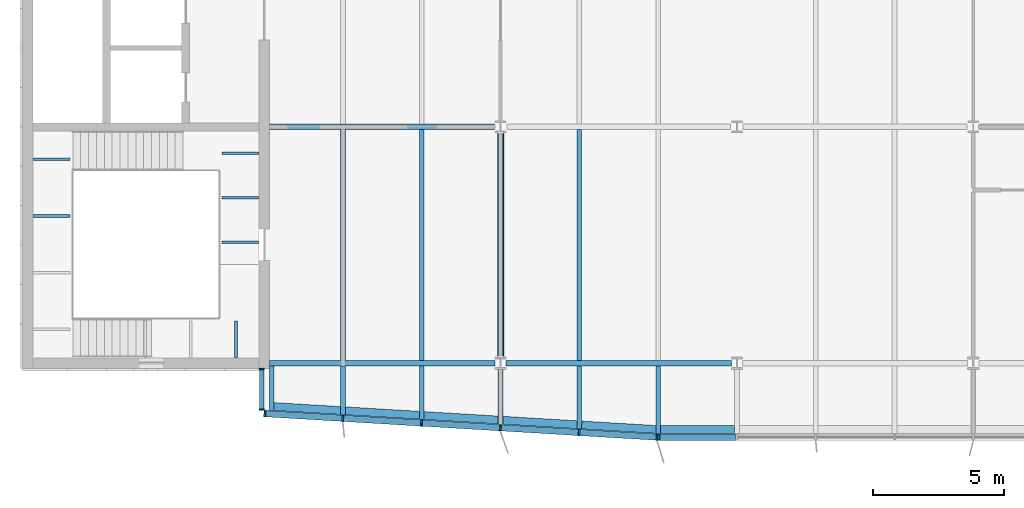
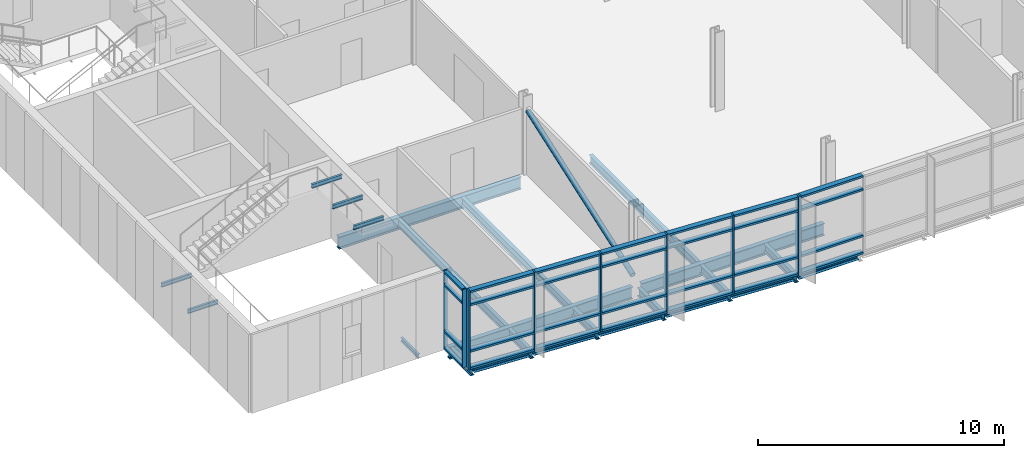
# One storey, part 2 of 21: 38 members, 24 beams, 3 elements without a shape of their own.
"""IFC4 building model written with IfcOpenShell, lengths in metres."""

from ifc_helpers import new_model, si_unit, direction, frame, origin, origin_2d, place, context, subcontext, project, spatial, rectangle, hollow_circle, i_section, extrude, material, material_profile, profile_set, type_object, element, aggregate, save


model = new_model("IFC4")

# Units and contexts
model_context = context("Model", 3, precision=1e-05, world=origin(), true_north=direction((0.0, 1.0)))
body_context = subcontext(model_context, "Body", "Model", "MODEL_VIEW")
ifc_project = project(units=[si_unit("LENGTHUNIT", "METRE"), si_unit("AREAUNIT", "SQUARE_METRE"), si_unit("VOLUMEUNIT", "CUBIC_METRE"), si_unit("PLANEANGLEUNIT", "RADIAN"), si_unit("MASSUNIT", "GRAM", prefix="KILO")], contexts=[model_context])

# Site, building, storey
site_placement = place(None, origin())
site = spatial("IfcSite", under=ifc_project, at=site_placement, CompositionType="ELEMENT")
building_placement = place(site_placement, origin())
building = spatial("IfcBuilding", under=site, at=building_placement, Name="Azimuth Sports and Learning Centre", CompositionType="ELEMENT")
storey_placement = place(building_placement, frame((0.0, 0.0, 32.39990234375)))
storey = spatial("IfcBuildingStorey", under=building, at=storey_placement, Name="L06", CompositionType="ELEMENT", Elevation=32.39990234375)

# Beams
ifc_material_1 = material(Name="Steel S355", Category="steel")
ifc_material_profile_1 = material_profile(ifc_material_1, i_section(OverallWidth=0.10009765625, OverallDepth=0.199951171875, WebThickness=0.005615234375, FlangeThickness=0.008544921875, FilletRadius=0.011962890625, at=origin_2d()), Name="IPE 200")
ifc_profile_set_1 = profile_set([ifc_material_profile_1], Name="Steel S355")
beam_type_1 = type_object("IfcBeamType", Name="Beam IPE 200", PredefinedType="BEAM", material=ifc_profile_set_1)
for number, where, z_axis, x_axis, name in (
    (1, (61.9267578125, 90.199951171875, -0.2998046875), (0.0, 1.0, 0.0), (-1.0, 0.0, 0.0), "Landing bracket W1 L06 61"),
    (2, (54.199951171875, 95.603759765625, 1.35009765625), (1.0, 0.0, 0.0), (0.0, 1.0, 0.0), "Landing bracket W1 L06 64"),
    (3, (54.199951171875, 97.76123046875, 1.35009765625), (1.0, 0.0, 0.0), (0.0, 1.0, 0.0), "Landing bracket W1 L06 65"),
    (4, (62.800048828125, 94.598388671875, 3.60009765625), (-1.0, 0.0, 0.0), (0.0, -1.0, 0.0), "Landing bracket W1 L06 66"),
    (5, (62.800048828125, 96.294921875, 3.60009765625), (-1.0, 0.0, 0.0), (0.0, -1.0, 0.0), "Landing bracket W1 L06 67"),
    (6, (62.800048828125, 97.99169921875, 3.60009765625), (-1.0, 0.0, 0.0), (0.0, -1.0, 0.0), "Landing bracket W1 L06 68"),
):
    element("IfcBeam", number, at=place(storey_placement, frame(where, z_axis=z_axis, x_axis=x_axis)), inside=storey, type_object=beam_type_1, Name=name, PredefinedType="BEAM", context=body_context, shape_type="SweptSolid", body=[
        extrude(i_section(OverallWidth=0.10009765625, OverallDepth=0.199951171875, WebThickness=0.005615234375, FlangeThickness=0.008544921875, FilletRadius=0.011962890625, at=origin_2d()), origin(), (0.0, 0.0, 1.0), 1.41015625),
    ])
ifc_material_2 = material(Name="Steel S355", Category="steel")
ifc_material_profile_2 = material_profile(ifc_material_2, i_section(OverallWidth=0.219970703125, OverallDepth=0.60009765625, WebThickness=0.011962890625, FlangeThickness=0.01904296875, FilletRadius=0.02392578125, at=origin_2d()), Name="IPE 600")
ifc_profile_set_2 = profile_set([ifc_material_profile_2], Name="Steel S355")
beam_type_2 = type_object("IfcBeamType", Name="Beam IPE 600", PredefinedType="BEAM", material=ifc_profile_set_2)
beam_1_placement = place(storey_placement, frame((63.199951171875, 90.0, -0.429931640625), z_axis=(1.0, 0.0, 0.0), x_axis=(0.0, 1.0, 0.0)))
element("IfcBeam", 7, at=beam_1_placement, inside=storey, type_object=beam_type_2, Name="Tower girder L06", PredefinedType="BEAM", context=body_context, shape_type="SweptSolid", body=[
    extrude(i_section(OverallWidth=0.219970703125, OverallDepth=0.60009765625, WebThickness=0.011962890625, FlangeThickness=0.01904296875, FilletRadius=0.02392578125, at=origin_2d()), origin(), (0.0, 0.0, 1.0), 8.588134765625),
])
beam_2_placement = place(storey_placement, frame((72.2119140625, 90.0, -0.429931640625), z_axis=(1.0, 0.0, 0.0), x_axis=(0.0, 1.0, 0.0)))
element("IfcBeam", 8, at=beam_2_placement, inside=storey, type_object=beam_type_2, Name="Tower girder L06", PredefinedType="BEAM", context=body_context, shape_type="SweptSolid", body=[
    extrude(i_section(OverallWidth=0.219970703125, OverallDepth=0.60009765625, WebThickness=0.011962890625, FlangeThickness=0.01904296875, FilletRadius=0.02392578125, at=origin_2d()), origin(), (0.0, 0.0, 1.0), 8.576171875),
])
beam_3_placement = place(storey_placement, frame((63.199951171875, 99.0, -0.429931640625), z_axis=(1.0, 0.0, 0.0), x_axis=(0.0, 1.0, 0.0)))
element("IfcBeam", 9, at=beam_3_placement, inside=storey, type_object=beam_type_2, Name="Tower girder L06", PredefinedType="BEAM", context=body_context, shape_type="SweptSolid", body=[
    extrude(i_section(OverallWidth=0.219970703125, OverallDepth=0.60009765625, WebThickness=0.011962890625, FlangeThickness=0.01904296875, FilletRadius=0.02392578125, at=origin_2d()), origin(), (0.0, 0.0, 1.0), 8.56201171875),
])

# Member
ifc_material_3 = material(Name="Steel S355", Category="steel")
ifc_material_profile_3 = material_profile(ifc_material_3, hollow_circle(Radius=0.122314453125, WallThickness=0.012451171875, at=origin_2d()), Name="CHS 244.5x12.5")
ifc_profile_set_3 = profile_set([ifc_material_profile_3], Name="Steel S355")
member_type_1 = type_object("IfcMemberType", Name="Brace CHS 244.5x12.5", PredefinedType="BRACE", material=ifc_profile_set_3)
member_1_placement = place(storey_placement, frame((72.0, 90.25732421875, 0.16943359375), z_axis=(0.0, 0.943699867633, 0.330802901785), x_axis=(-1.0, 0.0, 0.0)))
element("IfcMember", 10, at=member_1_placement, inside=storey, type_object=member_type_1, Name="Tower brace 9 L06", PredefinedType="BRACE", context=body_context, shape_type="SweptSolid", body=[
    extrude(hollow_circle(Radius=0.122314453125, WallThickness=0.012451171875, at=origin_2d()), origin(), (0.0, 0.0, 1.0), 9.011962890625),
])

# Beams
ifc_material_4 = material(Name="Steel S355", Category="steel")
ifc_material_profile_4 = material_profile(ifc_material_4, i_section(OverallWidth=0.179931640625, OverallDepth=0.39990234375, WebThickness=0.008544921875, FlangeThickness=0.013427734375, FilletRadius=0.02099609375, at=origin_2d()), Name="IPE 400")
ifc_profile_set_4 = profile_set([ifc_material_profile_4], Name="Steel S355")
beam_type_3 = type_object("IfcBeamType", Name="Cantilever stub IPE 400", PredefinedType="JOIST", material=ifc_profile_set_4)
beam_4_placement = place(storey_placement, frame((63.2900390625, 89.889892578125, -0.329833984375), z_axis=(0.0, -1.0, 0.0), x_axis=(1.0, 0.0, 0.0)))
element("IfcBeam", 11, at=beam_4_placement, inside=storey, type_object=beam_type_3, Name="Tower cantilever stub", PredefinedType="JOIST", context=body_context, shape_type="SweptSolid", body=[
    extrude(i_section(OverallWidth=0.179931640625, OverallDepth=0.39990234375, WebThickness=0.008544921875, FlangeThickness=0.013427734375, FilletRadius=0.02099609375, at=origin_2d()), origin(), (0.0, 0.0, 1.0), 1.687255859375),
])
beam_5_placement = place(storey_placement, frame((66.0, 89.889892578125, -0.329833984375), z_axis=(0.0, -1.0, 0.0), x_axis=(1.0, 0.0, 0.0)))
element("IfcBeam", 12, at=beam_5_placement, inside=storey, type_object=beam_type_3, Name="Tower cantilever stub", PredefinedType="JOIST", context=body_context, shape_type="SweptSolid", body=[
    extrude(i_section(OverallWidth=0.179931640625, OverallDepth=0.39990234375, WebThickness=0.008544921875, FlangeThickness=0.013427734375, FilletRadius=0.02099609375, at=origin_2d()), origin(), (0.0, 0.0, 1.0), 1.849853515625),
])
beam_6_placement = place(storey_placement, frame((69.0, 89.889892578125, -0.329833984375), z_axis=(0.0, -1.0, 0.0), x_axis=(1.0, 0.0, 0.0)))
element("IfcBeam", 13, at=beam_6_placement, inside=storey, type_object=beam_type_3, Name="Tower cantilever stub", PredefinedType="JOIST", context=body_context, shape_type="SweptSolid", body=[
    extrude(i_section(OverallWidth=0.179931640625, OverallDepth=0.39990234375, WebThickness=0.008544921875, FlangeThickness=0.013427734375, FilletRadius=0.02099609375, at=origin_2d()), origin(), (0.0, 0.0, 1.0), 2.02978515625),
])
beam_7_placement = place(storey_placement, frame((72.0, 89.762939453125, -0.329833984375), z_axis=(0.0, -1.0, 0.0), x_axis=(1.0, 0.0, 0.0)))
element("IfcBeam", 14, at=beam_7_placement, inside=storey, type_object=beam_type_3, Name="Tower cantilever stub", PredefinedType="JOIST", context=body_context, shape_type="SweptSolid", body=[
    extrude(i_section(OverallWidth=0.179931640625, OverallDepth=0.39990234375, WebThickness=0.008544921875, FlangeThickness=0.013427734375, FilletRadius=0.02099609375, at=origin_2d()), origin(), (0.0, 0.0, 1.0), 2.0830078125),
])
beam_8_placement = place(storey_placement, frame((75.0, 89.889892578125, -0.329833984375), z_axis=(0.0, -1.0, 0.0), x_axis=(1.0, 0.0, 0.0)))
element("IfcBeam", 15, at=beam_8_placement, inside=storey, type_object=beam_type_3, Name="Tower cantilever stub", PredefinedType="JOIST", context=body_context, shape_type="SweptSolid", body=[
    extrude(i_section(OverallWidth=0.179931640625, OverallDepth=0.39990234375, WebThickness=0.008544921875, FlangeThickness=0.013427734375, FilletRadius=0.02099609375, at=origin_2d()), origin(), (0.0, 0.0, 1.0), 2.389892578125),
])
beam_9_placement = place(storey_placement, frame((78.0, 89.889892578125, -0.329833984375), z_axis=(0.0, -1.0, 0.0), x_axis=(1.0, 0.0, 0.0)))
element("IfcBeam", 16, at=beam_9_placement, inside=storey, type_object=beam_type_3, Name="Tower cantilever stub", PredefinedType="JOIST", context=body_context, shape_type="SweptSolid", body=[
    extrude(i_section(OverallWidth=0.179931640625, OverallDepth=0.39990234375, WebThickness=0.008544921875, FlangeThickness=0.013427734375, FilletRadius=0.02099609375, at=origin_2d()), origin(), (0.0, 0.0, 1.0), 2.56982421875),
])
ifc_material_5 = material(Name="Steel S355", Category="steel")
ifc_material_profile_5 = material_profile(ifc_material_5, i_section(OverallWidth=0.300048828125, OverallDepth=0.2900390625, WebThickness=0.008544921875, FlangeThickness=0.013916015625, FilletRadius=0.027099609375, at=origin_2d()), Name="HEA 300")
ifc_profile_set_5 = profile_set([ifc_material_profile_5], Name="Steel S355")
beam_type_4 = type_object("IfcBeamType", Name="Edge beam HEA 300", PredefinedType="SPANDREL", material=ifc_profile_set_5)
beam_10_placement = place(storey_placement, frame((63.3798828125, 88.34716796875, -0.27490234375), z_axis=(0.998203578329, -0.059913405937, 0.0), x_axis=(0.059913405937, 0.998203578329, 0.0)))
element("IfcBeam", 17, at=beam_10_placement, inside=storey, type_object=beam_type_4, Name="Tower edge beam", PredefinedType="SPANDREL", context=body_context, shape_type="SweptSolid", body=[
    extrude(i_section(OverallWidth=0.300048828125, OverallDepth=0.2900390625, WebThickness=0.008544921875, FlangeThickness=0.013916015625, FilletRadius=0.027099609375, at=origin_2d()), origin(), (0.0, 0.0, 1.0), 2.53466796875),
])
for number, where, z_axis, x_axis, name in (
    (18, (66.090087890625, 88.1845703125, -0.27490234375), (0.998204845466, -0.059892290728, 0.0), (0.059892290728, 0.998204845466, 0.0), "Tower edge beam"),
    (19, (69.090087890625, 88.004638671875, -0.27490234375), (0.998204845466, -0.059892290728, 0.0), (0.059892290728, 0.998204845466, 0.0), "Tower edge beam"),
    (20, (72.090087890625, 87.82470703125, -0.27490234375), (0.998204845466, -0.059892290728, 0.0), (0.059892290728, 0.998204845466, 0.0), "Tower edge beam"),
    (21, (75.090087890625, 87.64453125, -0.27490234375), (0.998204845466, -0.059892290728, 0.0), (0.059892290728, 0.998204845466, 0.0), "Tower edge beam"),
):
    element("IfcBeam", number, at=place(storey_placement, frame(where, z_axis=z_axis, x_axis=x_axis)), inside=storey, type_object=beam_type_4, Name=name, PredefinedType="SPANDREL", context=body_context, shape_type="SweptSolid", body=[
        extrude(i_section(OverallWidth=0.300048828125, OverallDepth=0.2900390625, WebThickness=0.008544921875, FlangeThickness=0.013916015625, FilletRadius=0.027099609375, at=origin_2d()), origin(), (0.0, 0.0, 1.0), 2.824951171875),
    ])
beam_11_placement = place(storey_placement, frame((78.090087890625, 87.469970703125, -0.27490234375), z_axis=(1.0, 0.0, 0.0), x_axis=(0.0, 1.0, 0.0)))
element("IfcBeam", 22, at=beam_11_placement, inside=storey, type_object=beam_type_4, Name="Tower edge beam", PredefinedType="SPANDREL", context=body_context, shape_type="SweptSolid", body=[
    extrude(i_section(OverallWidth=0.300048828125, OverallDepth=0.2900390625, WebThickness=0.008544921875, FlangeThickness=0.013916015625, FilletRadius=0.027099609375, at=origin_2d()), origin(), (0.0, 0.0, 1.0), 2.81982421875),
])
ifc_material_6 = material(Name="Steel S355", Category="steel")
ifc_material_profile_6 = material_profile(ifc_material_6, i_section(OverallWidth=0.179931640625, OverallDepth=0.39990234375, WebThickness=0.008544921875, FlangeThickness=0.013427734375, FilletRadius=0.02099609375, at=origin_2d()), Name="IPE 400")
ifc_profile_set_6 = profile_set([ifc_material_profile_6], Name="Steel S355")
beam_type_5 = type_object("IfcBeamType", Name="Joist IPE 400", PredefinedType="JOIST", material=ifc_profile_set_6)
for number, where, z_axis, x_axis, name in (
    (23, (66.0, 90.110107421875, -0.329833984375), (0.0, 1.0, 0.0), (-1.0, 0.0, 0.0), "Tower joist"),
    (24, (69.0, 90.110107421875, -0.329833984375), (0.0, 1.0, 0.0), (-1.0, 0.0, 0.0), "Tower joist"),
    (25, (75.0, 90.110107421875, -0.329833984375), (0.0, 1.0, 0.0), (-1.0, 0.0, 0.0), "Tower joist"),
):
    element("IfcBeam", number, at=place(storey_placement, frame(where, z_axis=z_axis, x_axis=x_axis)), inside=storey, type_object=beam_type_5, Name=name, PredefinedType="JOIST", context=body_context, shape_type="SweptSolid", body=[
        extrude(i_section(OverallWidth=0.179931640625, OverallDepth=0.39990234375, WebThickness=0.008544921875, FlangeThickness=0.013427734375, FilletRadius=0.02099609375, at=origin_2d()), origin(), (0.0, 0.0, 1.0), 8.77978515625),
    ])

# Curtain wall, members
ifc_material_7 = material(Name="Aluminium and glass", Category="aluminium")
curtain_wall_type_1 = type_object("IfcCurtainWallType", Name="Curtain wall tower return 180", PredefinedType="NOTDEFINED", material=ifc_material_7)
curtain_wall_1_placement = place(storey_placement, origin())
curtain_wall_1 = element("IfcCurtainWall", 26, at=curtain_wall_1_placement, inside=storey, type_object=curtain_wall_type_1, Name="Curtain wall CW06-001", PredefinedType="NOTDEFINED")
ifc_material_8 = material(Name="Aluminium", Category="aluminium")
ifc_material_profile_7 = material_profile(ifc_material_8, rectangle(XDim=0.179931640625, YDim=0.06005859375, at=origin_2d()), Name="Mullion 60x180")
ifc_profile_set_7 = profile_set([ifc_material_profile_7], Name="Aluminium")
member_type_2 = type_object("IfcMemberType", Name="Mullion 60x180", PredefinedType="MULLION", material=ifc_profile_set_7)
member_2_placement = place(storey_placement, frame((62.909912109375, 89.77001953125, 0.0), z_axis=(0.0, 0.0, 1.0), x_axis=(1.0, 0.0, 0.0)))
member_2 = element("IfcMember", 27, at=member_2_placement, type_object=member_type_2, Name="CW06-001 mullion 1", PredefinedType="MULLION", context=body_context, shape_type="SweptSolid", body=[
    extrude(rectangle(XDim=0.179931640625, YDim=0.06005859375, at=origin_2d()), origin(), (0.0, 0.0, 1.0), 3.900146484375),
])
member_3_placement = place(storey_placement, frame((62.909912109375, 88.22998046875, 0.0), z_axis=(0.0, 0.0, 1.0), x_axis=(1.0, 0.0, 0.0)))
member_3 = element("IfcMember", 28, at=member_3_placement, type_object=member_type_2, Name="CW06-001 mullion 2", PredefinedType="MULLION", context=body_context, shape_type="SweptSolid", body=[
    extrude(rectangle(XDim=0.179931640625, YDim=0.06005859375, at=origin_2d()), origin(), (0.0, 0.0, 1.0), 3.900146484375),
])

ifc_material_9 = material(Name="Aluminium and glass", Category="aluminium")
curtain_wall_type_2 = type_object("IfcCurtainWallType", Name="Curtain wall tower south 240", PredefinedType="NOTDEFINED", material=ifc_material_9)
curtain_wall_2_placement = place(storey_placement, origin())
curtain_wall_2 = element("IfcCurtainWall", 29, at=curtain_wall_2_placement, inside=storey, type_object=curtain_wall_type_2, Name="Curtain wall CW06-002", PredefinedType="NOTDEFINED")
ifc_material_10 = material(Name="Aluminium", Category="aluminium")
ifc_material_profile_8 = material_profile(ifc_material_10, rectangle(XDim=0.239990234375, YDim=0.070068359375, at=origin_2d()), Name="Mullion 70x240")
ifc_profile_set_8 = profile_set([ifc_material_profile_8], Name="Aluminium")
member_type_3 = type_object("IfcMemberType", Name="Mullion 70x240", PredefinedType="MULLION", material=ifc_profile_set_8)
member_4_placement = place(storey_placement, frame((63.02783203125, 88.078125, 0.0), z_axis=(0.0, 0.0, 1.0), x_axis=(0.059891991812, 0.998204863401, 0.0)))
member_4 = element("IfcMember", 30, at=member_4_placement, type_object=member_type_3, Name="CW06-002 mullion 1", PredefinedType="MULLION", context=body_context, shape_type="SweptSolid", body=[
    extrude(rectangle(XDim=0.239990234375, YDim=0.070068359375, at=origin_2d()), origin(), (0.0, 0.0, 1.0), 3.900146484375),
])
member_5_placement = place(storey_placement, frame((65.992919921875, 87.900146484375, 0.0), z_axis=(0.0, 0.0, 1.0), x_axis=(0.059891991812, 0.998204863401, 0.0)))
member_5 = element("IfcMember", 31, at=member_5_placement, type_object=member_type_3, Name="CW06-002 mullion 2", PredefinedType="MULLION", context=body_context, shape_type="SweptSolid", body=[
    extrude(rectangle(XDim=0.239990234375, YDim=0.070068359375, at=origin_2d()), origin(), (0.0, 0.0, 1.0), 3.900146484375),
])
member_6_placement = place(storey_placement, frame((68.992919921875, 87.72021484375, 0.0), z_axis=(0.0, 0.0, 1.0), x_axis=(0.059891991812, 0.998204863401, 0.0)))
member_6 = element("IfcMember", 32, at=member_6_placement, type_object=member_type_3, Name="CW06-002 mullion 3", PredefinedType="MULLION", context=body_context, shape_type="SweptSolid", body=[
    extrude(rectangle(XDim=0.239990234375, YDim=0.070068359375, at=origin_2d()), origin(), (0.0, 0.0, 1.0), 3.900146484375),
])
member_7_placement = place(storey_placement, frame((71.992919921875, 87.540283203125, 0.0), z_axis=(0.0, 0.0, 1.0), x_axis=(0.059891991812, 0.998204863401, 0.0)))
member_7 = element("IfcMember", 33, at=member_7_placement, type_object=member_type_3, Name="CW06-002 mullion 4", PredefinedType="MULLION", context=body_context, shape_type="SweptSolid", body=[
    extrude(rectangle(XDim=0.239990234375, YDim=0.070068359375, at=origin_2d()), origin(), (0.0, 0.0, 1.0), 3.900146484375),
])
member_8_placement = place(storey_placement, frame((74.992919921875, 87.360107421875, 0.0), z_axis=(0.0, 0.0, 1.0), x_axis=(0.059891991812, 0.998204863401, 0.0)))
member_8 = element("IfcMember", 34, at=member_8_placement, type_object=member_type_3, Name="CW06-002 mullion 5", PredefinedType="MULLION", context=body_context, shape_type="SweptSolid", body=[
    extrude(rectangle(XDim=0.239990234375, YDim=0.070068359375, at=origin_2d()), origin(), (0.0, 0.0, 1.0), 3.900146484375),
])
member_9_placement = place(storey_placement, frame((77.957763671875, 87.182373046875, 0.0), z_axis=(0.0, 0.0, 1.0), x_axis=(0.059891991812, 0.998204863401, 0.0)))
member_9 = element("IfcMember", 35, at=member_9_placement, type_object=member_type_3, Name="CW06-002 mullion 6", PredefinedType="MULLION", context=body_context, shape_type="SweptSolid", body=[
    extrude(rectangle(XDim=0.239990234375, YDim=0.070068359375, at=origin_2d()), origin(), (0.0, 0.0, 1.0), 3.900146484375),
])

# Curtain wall, member
curtain_wall_3_placement = place(storey_placement, origin())
curtain_wall_3 = element("IfcCurtainWall", 36, at=curtain_wall_3_placement, inside=storey, type_object=curtain_wall_type_2, Name="Curtain wall CW06-003", PredefinedType="NOTDEFINED")
member_10_placement = place(storey_placement, frame((78.02783203125, 87.179931640625, 0.0), z_axis=(0.0, 0.0, 1.0), x_axis=(0.0, 1.0, 0.0)))
member_10 = element("IfcMember", 37, at=member_10_placement, type_object=member_type_3, Name="CW06-003 mullion 1", PredefinedType="MULLION", context=body_context, shape_type="SweptSolid", body=[
    extrude(rectangle(XDim=0.239990234375, YDim=0.070068359375, at=origin_2d()), origin(), (0.0, 0.0, 1.0), 3.900146484375),
])

# Member
ifc_material_11 = material(Name="Aluminium", Category="aluminium")
ifc_material_profile_9 = material_profile(ifc_material_11, rectangle(XDim=0.179931640625, YDim=0.10009765625, at=origin_2d()), Name="Transom 100x180")
ifc_profile_set_9 = profile_set([ifc_material_profile_9], Name="Aluminium")
member_type_4 = type_object("IfcMemberType", Name="Transom 100x180", PredefinedType="USERDEFINED", material=ifc_profile_set_9)
member_11_placement = place(storey_placement, frame((62.909912109375, 89.739990234375, 0.050048828125), z_axis=(0.0, -1.0, 0.0), x_axis=(1.0, 0.0, 0.0)))
member_11 = element("IfcMember", 38, at=member_11_placement, type_object=member_type_4, Name="CW06-001 transom 1.1", ObjectType="TRANSOM", PredefinedType="USERDEFINED", context=body_context, shape_type="SweptSolid", body=[
    extrude(rectangle(XDim=0.179931640625, YDim=0.10009765625, at=origin_2d()), origin(), (0.0, 0.0, 1.0), 1.47998046875),
])

member_12_placement = place(storey_placement, frame((62.909912109375, 89.739990234375, 0.900146484375), z_axis=(0.0, -1.0, 0.0), x_axis=(1.0, 0.0, 0.0)))
member_12 = element("IfcMember", 39, at=member_12_placement, type_object=member_type_4, Name="CW06-001 transom 1.2", ObjectType="TRANSOM", PredefinedType="USERDEFINED", context=body_context, shape_type="SweptSolid", body=[
    extrude(rectangle(XDim=0.179931640625, YDim=0.10009765625, at=origin_2d()), origin(), (0.0, 0.0, 1.0), 1.47998046875),
])

member_13_placement = place(storey_placement, frame((62.909912109375, 89.739990234375, 3.2001953125), z_axis=(0.0, -1.0, 0.0), x_axis=(1.0, 0.0, 0.0)))
member_13 = element("IfcMember", 40, at=member_13_placement, type_object=member_type_4, Name="CW06-001 transom 1.3", ObjectType="TRANSOM", PredefinedType="USERDEFINED", context=body_context, shape_type="SweptSolid", body=[
    extrude(rectangle(XDim=0.179931640625, YDim=0.10009765625, at=origin_2d()), origin(), (0.0, 0.0, 1.0), 1.47998046875),
])

member_14_placement = place(storey_placement, frame((62.909912109375, 89.739990234375, 3.85009765625), z_axis=(0.0, -1.0, 0.0), x_axis=(1.0, 0.0, 0.0)))
member_14 = element("IfcMember", 41, at=member_14_placement, type_object=member_type_4, Name="CW06-001 transom 1.4", ObjectType="TRANSOM", PredefinedType="USERDEFINED", context=body_context, shape_type="SweptSolid", body=[
    extrude(rectangle(XDim=0.179931640625, YDim=0.10009765625, at=origin_2d()), origin(), (0.0, 0.0, 1.0), 1.47998046875),
])

aggregate(curtain_wall_1, [member_2, member_3, member_11, member_12, member_13, member_14])

ifc_material_12 = material(Name="Aluminium", Category="aluminium")
ifc_material_profile_10 = material_profile(ifc_material_12, rectangle(XDim=0.239990234375, YDim=0.10009765625, at=origin_2d()), Name="Transom 100x240")
ifc_profile_set_10 = profile_set([ifc_material_profile_10], Name="Aluminium")
member_type_5 = type_object("IfcMemberType", Name="Transom 100x240", PredefinedType="USERDEFINED", material=ifc_profile_set_10)
member_15_placement = place(storey_placement, frame((63.062744140625, 88.075927734375, 0.050048828125), z_axis=(0.998207260343, -0.059852029187, 0.0), x_axis=(0.059852029187, 0.998207260343, 0.0)))
member_15 = element("IfcMember", 42, at=member_15_placement, type_object=member_type_5, Name="CW06-002 transom 1.1", ObjectType="TRANSOM", PredefinedType="USERDEFINED", context=body_context, shape_type="SweptSolid", body=[
    extrude(rectangle(XDim=0.239990234375, YDim=0.10009765625, at=origin_2d()), origin(), (0.0, 0.0, 1.0), 2.900146484375),
])

member_16_placement = place(storey_placement, frame((63.062744140625, 88.075927734375, 0.900146484375), z_axis=(0.998207260343, -0.059852029187, 0.0), x_axis=(0.059852029187, 0.998207260343, 0.0)))
member_16 = element("IfcMember", 43, at=member_16_placement, type_object=member_type_5, Name="CW06-002 transom 1.2", ObjectType="TRANSOM", PredefinedType="USERDEFINED", context=body_context, shape_type="SweptSolid", body=[
    extrude(rectangle(XDim=0.239990234375, YDim=0.10009765625, at=origin_2d()), origin(), (0.0, 0.0, 1.0), 2.900146484375),
])

member_17_placement = place(storey_placement, frame((63.062744140625, 88.075927734375, 3.2001953125), z_axis=(0.998207260343, -0.059852029187, 0.0), x_axis=(0.059852029187, 0.998207260343, 0.0)))
member_17 = element("IfcMember", 44, at=member_17_placement, type_object=member_type_5, Name="CW06-002 transom 1.3", ObjectType="TRANSOM", PredefinedType="USERDEFINED", context=body_context, shape_type="SweptSolid", body=[
    extrude(rectangle(XDim=0.239990234375, YDim=0.10009765625, at=origin_2d()), origin(), (0.0, 0.0, 1.0), 2.900146484375),
])

member_18_placement = place(storey_placement, frame((63.062744140625, 88.075927734375, 3.85009765625), z_axis=(0.998207260343, -0.059852029187, 0.0), x_axis=(0.059852029187, 0.998207260343, 0.0)))
member_18 = element("IfcMember", 45, at=member_18_placement, type_object=member_type_5, Name="CW06-002 transom 1.4", ObjectType="TRANSOM", PredefinedType="USERDEFINED", context=body_context, shape_type="SweptSolid", body=[
    extrude(rectangle(XDim=0.239990234375, YDim=0.10009765625, at=origin_2d()), origin(), (0.0, 0.0, 1.0), 2.900146484375),
])

member_19_placement = place(storey_placement, frame((66.02783203125, 87.898193359375, 0.050048828125), z_axis=(0.998205143816, -0.059887318019, 0.0), x_axis=(0.059887318019, 0.998205143816, 0.0)))
member_19 = element("IfcMember", 46, at=member_19_placement, type_object=member_type_5, Name="CW06-002 transom 2.1", ObjectType="TRANSOM", PredefinedType="USERDEFINED", context=body_context, shape_type="SweptSolid", body=[
    extrude(rectangle(XDim=0.239990234375, YDim=0.10009765625, at=origin_2d()), origin(), (0.0, 0.0, 1.0), 2.935302734375),
])

member_20_placement = place(storey_placement, frame((66.02783203125, 87.898193359375, 0.900146484375), z_axis=(0.998205143816, -0.059887318019, 0.0), x_axis=(0.059887318019, 0.998205143816, 0.0)))
member_20 = element("IfcMember", 47, at=member_20_placement, type_object=member_type_5, Name="CW06-002 transom 2.2", ObjectType="TRANSOM", PredefinedType="USERDEFINED", context=body_context, shape_type="SweptSolid", body=[
    extrude(rectangle(XDim=0.239990234375, YDim=0.10009765625, at=origin_2d()), origin(), (0.0, 0.0, 1.0), 2.935302734375),
])

member_21_placement = place(storey_placement, frame((66.02783203125, 87.898193359375, 3.2001953125), z_axis=(0.998205143816, -0.059887318019, 0.0), x_axis=(0.059887318019, 0.998205143816, 0.0)))
member_21 = element("IfcMember", 48, at=member_21_placement, type_object=member_type_5, Name="CW06-002 transom 2.3", ObjectType="TRANSOM", PredefinedType="USERDEFINED", context=body_context, shape_type="SweptSolid", body=[
    extrude(rectangle(XDim=0.239990234375, YDim=0.10009765625, at=origin_2d()), origin(), (0.0, 0.0, 1.0), 2.935302734375),
])

member_22_placement = place(storey_placement, frame((66.02783203125, 87.898193359375, 3.85009765625), z_axis=(0.998205143816, -0.059887318019, 0.0), x_axis=(0.059887318019, 0.998205143816, 0.0)))
member_22 = element("IfcMember", 49, at=member_22_placement, type_object=member_type_5, Name="CW06-002 transom 2.4", ObjectType="TRANSOM", PredefinedType="USERDEFINED", context=body_context, shape_type="SweptSolid", body=[
    extrude(rectangle(XDim=0.239990234375, YDim=0.10009765625, at=origin_2d()), origin(), (0.0, 0.0, 1.0), 2.935302734375),
])

member_23_placement = place(storey_placement, frame((69.02783203125, 87.718017578125, 0.050048828125), z_axis=(0.998205143816, -0.059887318019, 0.0), x_axis=(0.059887318019, 0.998205143816, 0.0)))
member_23 = element("IfcMember", 50, at=member_23_placement, type_object=member_type_5, Name="CW06-002 transom 3.1", ObjectType="TRANSOM", PredefinedType="USERDEFINED", context=body_context, shape_type="SweptSolid", body=[
    extrude(rectangle(XDim=0.239990234375, YDim=0.10009765625, at=origin_2d()), origin(), (0.0, 0.0, 1.0), 2.935302734375),
])

member_24_placement = place(storey_placement, frame((69.02783203125, 87.718017578125, 0.900146484375), z_axis=(0.998205143816, -0.059887318019, 0.0), x_axis=(0.059887318019, 0.998205143816, 0.0)))
member_24 = element("IfcMember", 51, at=member_24_placement, type_object=member_type_5, Name="CW06-002 transom 3.2", ObjectType="TRANSOM", PredefinedType="USERDEFINED", context=body_context, shape_type="SweptSolid", body=[
    extrude(rectangle(XDim=0.239990234375, YDim=0.10009765625, at=origin_2d()), origin(), (0.0, 0.0, 1.0), 2.935302734375),
])

member_25_placement = place(storey_placement, frame((69.02783203125, 87.718017578125, 3.2001953125), z_axis=(0.998205143816, -0.059887318019, 0.0), x_axis=(0.059887318019, 0.998205143816, 0.0)))
member_25 = element("IfcMember", 52, at=member_25_placement, type_object=member_type_5, Name="CW06-002 transom 3.3", ObjectType="TRANSOM", PredefinedType="USERDEFINED", context=body_context, shape_type="SweptSolid", body=[
    extrude(rectangle(XDim=0.239990234375, YDim=0.10009765625, at=origin_2d()), origin(), (0.0, 0.0, 1.0), 2.935302734375),
])

member_26_placement = place(storey_placement, frame((69.02783203125, 87.718017578125, 3.85009765625), z_axis=(0.998205143816, -0.059887318019, 0.0), x_axis=(0.059887318019, 0.998205143816, 0.0)))
member_26 = element("IfcMember", 53, at=member_26_placement, type_object=member_type_5, Name="CW06-002 transom 3.4", ObjectType="TRANSOM", PredefinedType="USERDEFINED", context=body_context, shape_type="SweptSolid", body=[
    extrude(rectangle(XDim=0.239990234375, YDim=0.10009765625, at=origin_2d()), origin(), (0.0, 0.0, 1.0), 2.935302734375),
])

member_27_placement = place(storey_placement, frame((72.02783203125, 87.5380859375, 0.050048828125), z_axis=(0.998205143816, -0.059887318019, 0.0), x_axis=(0.059887318019, 0.998205143816, 0.0)))
member_27 = element("IfcMember", 54, at=member_27_placement, type_object=member_type_5, Name="CW06-002 transom 4.1", ObjectType="TRANSOM", PredefinedType="USERDEFINED", context=body_context, shape_type="SweptSolid", body=[
    extrude(rectangle(XDim=0.239990234375, YDim=0.10009765625, at=origin_2d()), origin(), (0.0, 0.0, 1.0), 2.935302734375),
])

member_28_placement = place(storey_placement, frame((72.02783203125, 87.5380859375, 0.900146484375), z_axis=(0.998205143816, -0.059887318019, 0.0), x_axis=(0.059887318019, 0.998205143816, 0.0)))
member_28 = element("IfcMember", 55, at=member_28_placement, type_object=member_type_5, Name="CW06-002 transom 4.2", ObjectType="TRANSOM", PredefinedType="USERDEFINED", context=body_context, shape_type="SweptSolid", body=[
    extrude(rectangle(XDim=0.239990234375, YDim=0.10009765625, at=origin_2d()), origin(), (0.0, 0.0, 1.0), 2.935302734375),
])

member_29_placement = place(storey_placement, frame((72.02783203125, 87.5380859375, 3.2001953125), z_axis=(0.998205143816, -0.059887318019, 0.0), x_axis=(0.059887318019, 0.998205143816, 0.0)))
member_29 = element("IfcMember", 56, at=member_29_placement, type_object=member_type_5, Name="CW06-002 transom 4.3", ObjectType="TRANSOM", PredefinedType="USERDEFINED", context=body_context, shape_type="SweptSolid", body=[
    extrude(rectangle(XDim=0.239990234375, YDim=0.10009765625, at=origin_2d()), origin(), (0.0, 0.0, 1.0), 2.935302734375),
])

member_30_placement = place(storey_placement, frame((72.02783203125, 87.5380859375, 3.85009765625), z_axis=(0.998205143816, -0.059887318019, 0.0), x_axis=(0.059887318019, 0.998205143816, 0.0)))
member_30 = element("IfcMember", 57, at=member_30_placement, type_object=member_type_5, Name="CW06-002 transom 4.4", ObjectType="TRANSOM", PredefinedType="USERDEFINED", context=body_context, shape_type="SweptSolid", body=[
    extrude(rectangle(XDim=0.239990234375, YDim=0.10009765625, at=origin_2d()), origin(), (0.0, 0.0, 1.0), 2.935302734375),
])

member_31_placement = place(storey_placement, frame((75.02783203125, 87.358154296875, 0.050048828125), z_axis=(0.998202227529, -0.059935907067, 0.0), x_axis=(0.059935907067, 0.998202227529, 0.0)))
member_31 = element("IfcMember", 58, at=member_31_placement, type_object=member_type_5, Name="CW06-002 transom 5.1", ObjectType="TRANSOM", PredefinedType="USERDEFINED", context=body_context, shape_type="SweptSolid", body=[
    extrude(rectangle(XDim=0.239990234375, YDim=0.10009765625, at=origin_2d()), origin(), (0.0, 0.0, 1.0), 2.900146484375),
])

member_32_placement = place(storey_placement, frame((75.02783203125, 87.358154296875, 0.900146484375), z_axis=(0.998202227529, -0.059935907067, 0.0), x_axis=(0.059935907067, 0.998202227529, 0.0)))
member_32 = element("IfcMember", 59, at=member_32_placement, type_object=member_type_5, Name="CW06-002 transom 5.2", ObjectType="TRANSOM", PredefinedType="USERDEFINED", context=body_context, shape_type="SweptSolid", body=[
    extrude(rectangle(XDim=0.239990234375, YDim=0.10009765625, at=origin_2d()), origin(), (0.0, 0.0, 1.0), 2.900146484375),
])

member_33_placement = place(storey_placement, frame((75.02783203125, 87.358154296875, 3.2001953125), z_axis=(0.998202227529, -0.059935907067, 0.0), x_axis=(0.059935907067, 0.998202227529, 0.0)))
member_33 = element("IfcMember", 60, at=member_33_placement, type_object=member_type_5, Name="CW06-002 transom 5.3", ObjectType="TRANSOM", PredefinedType="USERDEFINED", context=body_context, shape_type="SweptSolid", body=[
    extrude(rectangle(XDim=0.239990234375, YDim=0.10009765625, at=origin_2d()), origin(), (0.0, 0.0, 1.0), 2.900146484375),
])

member_34_placement = place(storey_placement, frame((75.02783203125, 87.358154296875, 3.85009765625), z_axis=(0.998202227529, -0.059935907067, 0.0), x_axis=(0.059935907067, 0.998202227529, 0.0)))
member_34 = element("IfcMember", 61, at=member_34_placement, type_object=member_type_5, Name="CW06-002 transom 5.4", ObjectType="TRANSOM", PredefinedType="USERDEFINED", context=body_context, shape_type="SweptSolid", body=[
    extrude(rectangle(XDim=0.239990234375, YDim=0.10009765625, at=origin_2d()), origin(), (0.0, 0.0, 1.0), 2.900146484375),
])

aggregate(curtain_wall_2, [member_4, member_5, member_6, member_7, member_8, member_9, member_15, member_16, member_17, member_18, member_19, member_20, member_21, member_22, member_23, member_24, member_25, member_26, member_27, member_28, member_29, member_30, member_31, member_32, member_33, member_34])

member_35_placement = place(storey_placement, frame((78.062744140625, 87.179931640625, 0.050048828125), z_axis=(1.0, 0.0, 0.0), x_axis=(0.0, 1.0, 0.0)))
member_35 = element("IfcMember", 62, at=member_35_placement, type_object=member_type_5, Name="CW06-003 transom 1.1", ObjectType="TRANSOM", PredefinedType="USERDEFINED", context=body_context, shape_type="SweptSolid", body=[
    extrude(rectangle(XDim=0.239990234375, YDim=0.10009765625, at=origin_2d()), origin(), (0.0, 0.0, 1.0), 2.90234375),
])

member_36_placement = place(storey_placement, frame((78.062744140625, 87.179931640625, 0.900146484375), z_axis=(1.0, 0.0, 0.0), x_axis=(0.0, 1.0, 0.0)))
member_36 = element("IfcMember", 63, at=member_36_placement, type_object=member_type_5, Name="CW06-003 transom 1.2", ObjectType="TRANSOM", PredefinedType="USERDEFINED", context=body_context, shape_type="SweptSolid", body=[
    extrude(rectangle(XDim=0.239990234375, YDim=0.10009765625, at=origin_2d()), origin(), (0.0, 0.0, 1.0), 2.90234375),
])

member_37_placement = place(storey_placement, frame((78.062744140625, 87.179931640625, 3.2001953125), z_axis=(1.0, 0.0, 0.0), x_axis=(0.0, 1.0, 0.0)))
member_37 = element("IfcMember", 64, at=member_37_placement, type_object=member_type_5, Name="CW06-003 transom 1.3", ObjectType="TRANSOM", PredefinedType="USERDEFINED", context=body_context, shape_type="SweptSolid", body=[
    extrude(rectangle(XDim=0.239990234375, YDim=0.10009765625, at=origin_2d()), origin(), (0.0, 0.0, 1.0), 2.90234375),
])

member_38_placement = place(storey_placement, frame((78.062744140625, 87.179931640625, 3.85009765625), z_axis=(1.0, 0.0, 0.0), x_axis=(0.0, 1.0, 0.0)))
member_38 = element("IfcMember", 65, at=member_38_placement, type_object=member_type_5, Name="CW06-003 transom 1.4", ObjectType="TRANSOM", PredefinedType="USERDEFINED", context=body_context, shape_type="SweptSolid", body=[
    extrude(rectangle(XDim=0.239990234375, YDim=0.10009765625, at=origin_2d()), origin(), (0.0, 0.0, 1.0), 2.90234375),
])

aggregate(curtain_wall_3, [member_10, member_35, member_36, member_37, member_38])

save(model, "model.ifc")
